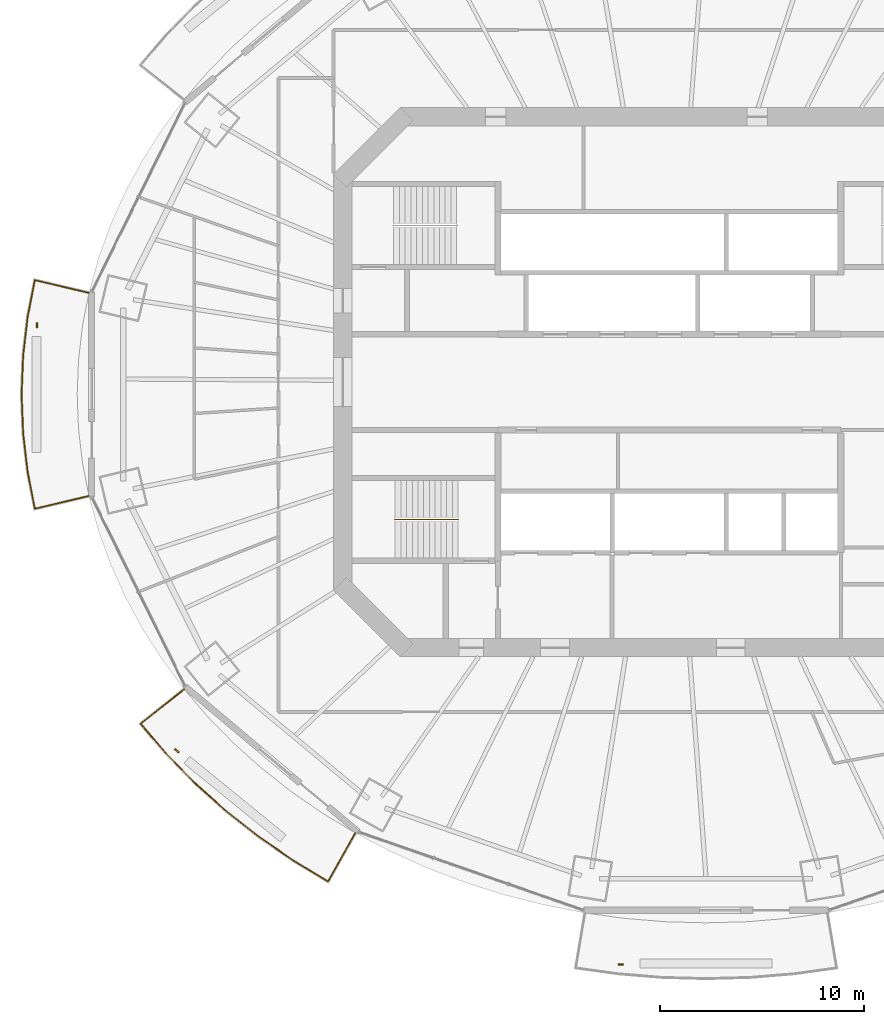
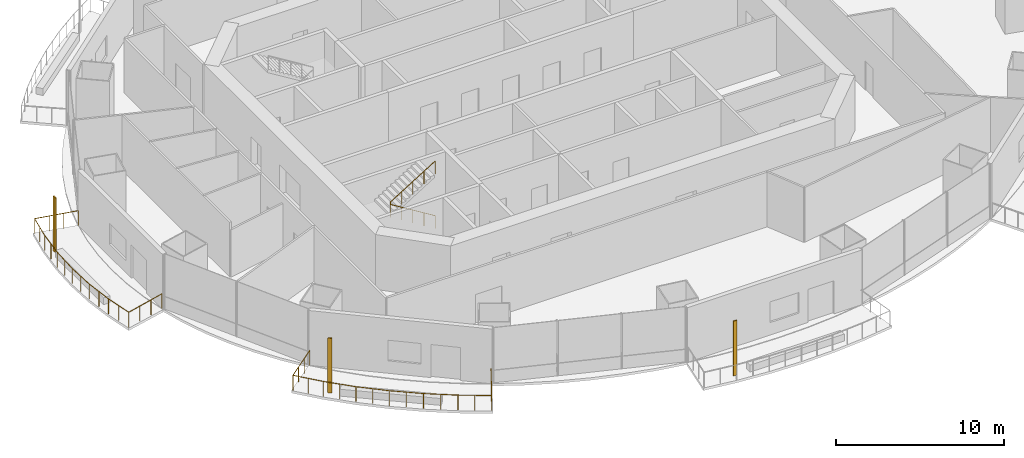
# One storey, part 14 of 19: 3 railings, 3 shading devices.
"""IFC4 building model written with IfcOpenShell, lengths in metres."""

from ifc_helpers import new_model, si_unit, direction, frame, origin, origin_2d, place, context, subcontext, project, spatial, rectangle, circle, extrude, material, material_profile, profile_set, type_object, element, save


model = new_model("IFC4")

# Units and contexts
model_context = context("Model", 3, precision=1e-05, world=origin(), true_north=direction((0.0, 1.0)))
body_context = subcontext(model_context, "Body", "Model", "MODEL_VIEW")
ifc_project = project(units=[si_unit("LENGTHUNIT", "METRE"), si_unit("AREAUNIT", "SQUARE_METRE"), si_unit("VOLUMEUNIT", "CUBIC_METRE"), si_unit("PLANEANGLEUNIT", "RADIAN"), si_unit("MASSUNIT", "GRAM", prefix="KILO")], contexts=[model_context])

# Site, building, storey
site_placement = place(None, origin())
site = spatial("IfcSite", under=ifc_project, at=site_placement, CompositionType="ELEMENT")
building_placement = place(site_placement, origin())
building = spatial("IfcBuilding", under=site, at=building_placement, Name="Marenthal Gate Tower", CompositionType="ELEMENT")
storey_placement = place(building_placement, frame((0.0, 0.0, 231.60009765625)))
storey = spatial("IfcBuildingStorey", under=building, at=storey_placement, Name="L51", CompositionType="ELEMENT", Elevation=231.60009765625)

# Railings
ifc_material_1 = material(Name="Stainless steel", Category="steel")
railing_type_1 = type_object("IfcRailingType", Name="Balcony guard 1100", PredefinedType="GUARDRAIL", material=ifc_material_1)
railing_1_placement = place(storey_placement, frame((-28.434326171875, -5.572021484375, 0.0)))
element("IfcRailing", 1, at=railing_1_placement, inside=storey, type_object=railing_type_1, Name="Balcony guard L51 bay 8", PredefinedType="GUARDRAIL", context=body_context, shape_type="SweptSolid", body=[
    extrude(circle(Radius=0.02392578125, at=origin_2d()), frame((0.0, 0.0, 1.076171875), z_axis=(-0.973052153091, -0.230114897669, -0.014718737604), x_axis=(0.230139827907, -0.97315757183, 0.0)), (0.0, 0.0, 1.0), 2.72021484375),
    extrude(circle(Radius=0.02392578125, at=origin_2d()), frame((-2.64697265625, -0.6259765625, 1.0361328125), z_axis=(-0.191194170829, 0.981552234494, 0.0), x_axis=(-0.981552234494, -0.191194170829, 0.0)), (0.0, 0.0, 1.0), 1.832275390625),
    extrude(circle(Radius=0.02392578125, at=origin_2d()), frame((-2.997314453125, 1.172607421875, 1.0361328125), z_axis=(-0.116440337064, 0.99319768823, 0.0), x_axis=(-0.99319768823, -0.116440337064, 0.0)), (0.0, 0.0, 1.0), 1.907958984375),
    extrude(circle(Radius=0.02392578125, at=origin_2d()), frame((-3.219482421875, 3.067626953125, 1.0361328125), z_axis=(-0.038944791616, 0.999241363839, 0.0), x_axis=(-0.999241363839, -0.038944791616, 0.0)), (0.0, 0.0, 1.0), 1.90576171875),
    extrude(circle(Radius=0.02392578125, at=origin_2d()), frame((-3.293701171875, 4.971923828125, 1.0361328125), z_axis=(0.038939806905, 0.999241558102, 0.0), x_axis=(-0.999241558102, 0.038939806905, 0.0)), (0.0, 0.0, 1.0), 1.906005859375),
    extrude(circle(Radius=0.02392578125, at=origin_2d()), frame((-3.219482421875, 6.87646484375, 1.0361328125), z_axis=(0.116440337064, 0.99319768823, 0.0), x_axis=(-0.99319768823, 0.116440337064, 0.0)), (0.0, 0.0, 1.0), 1.907958984375),
    extrude(circle(Radius=0.02392578125, at=origin_2d()), frame((-2.997314453125, 8.771484375, 1.0361328125), z_axis=(0.191194170829, 0.981552234494, 0.0), x_axis=(-0.981552234494, 0.191194170829, 0.0)), (0.0, 0.0, 1.0), 1.832275390625),
    extrude(circle(Radius=0.02392578125, at=origin_2d()), frame((-2.64697265625, 10.570068359375, 1.0361328125), z_axis=(0.973052153091, -0.230114897669, 0.014718737604), x_axis=(0.230139827907, 0.97315757183, 0.0)), (0.0, 0.0, 1.0), 2.72021484375),
    extrude(circle(Radius=0.02099609375, at=origin_2d()), origin(), (0.0, 0.0, 1.0), 1.052001953125),
    extrude(circle(Radius=0.02099609375, at=origin_2d()), frame((-0.88232421875, -0.208740234375, -0.013427734375)), (0.0, 0.0, 1.0), 1.052001953125),
    extrude(circle(Radius=0.02099609375, at=origin_2d()), frame((-1.7646484375, -0.417236328125, -0.026611328125)), (0.0, 0.0, 1.0), 1.052001953125),
    extrude(circle(Radius=0.02099609375, at=origin_2d()), frame((-2.64697265625, -0.6259765625, -0.0400390625)), (0.0, 0.0, 1.0), 1.052001953125),
    extrude(circle(Radius=0.02099609375, at=origin_2d()), frame((-2.822265625, 0.2734375, -0.0400390625)), (0.0, 0.0, 1.0), 1.052001953125),
    extrude(circle(Radius=0.02099609375, at=origin_2d()), frame((-2.997314453125, 1.172607421875, -0.0400390625)), (0.0, 0.0, 1.0), 1.052001953125),
    extrude(circle(Radius=0.02099609375, at=origin_2d()), frame((-3.1083984375, 2.1201171875, -0.0400390625)), (0.0, 0.0, 1.0), 1.052001953125),
    extrude(circle(Radius=0.02099609375, at=origin_2d()), frame((-3.219482421875, 3.067626953125, -0.0400390625)), (0.0, 0.0, 1.0), 1.052001953125),
    extrude(circle(Radius=0.02099609375, at=origin_2d()), frame((-3.256591796875, 4.019775390625, -0.0400390625)), (0.0, 0.0, 1.0), 1.052001953125),
    extrude(circle(Radius=0.02099609375, at=origin_2d()), frame((-3.293701171875, 4.971923828125, -0.0400390625)), (0.0, 0.0, 1.0), 1.052001953125),
    extrude(circle(Radius=0.02099609375, at=origin_2d()), frame((-3.256591796875, 5.92431640625, -0.0400390625)), (0.0, 0.0, 1.0), 1.052001953125),
    extrude(circle(Radius=0.02099609375, at=origin_2d()), frame((-3.219482421875, 6.87646484375, -0.0400390625)), (0.0, 0.0, 1.0), 1.052001953125),
    extrude(circle(Radius=0.02099609375, at=origin_2d()), frame((-3.1083984375, 7.823974609375, -0.0400390625)), (0.0, 0.0, 1.0), 1.052001953125),
    extrude(circle(Radius=0.02099609375, at=origin_2d()), frame((-2.997314453125, 8.771484375, -0.0400390625)), (0.0, 0.0, 1.0), 1.052001953125),
    extrude(circle(Radius=0.02099609375, at=origin_2d()), frame((-2.822265625, 9.6708984375, -0.0400390625)), (0.0, 0.0, 1.0), 1.052001953125),
    extrude(circle(Radius=0.02099609375, at=origin_2d()), frame((-2.64697265625, 10.570068359375, -0.0400390625)), (0.0, 0.0, 1.0), 1.052001953125),
    extrude(circle(Radius=0.02099609375, at=origin_2d()), frame((-1.7646484375, 10.361328125, -0.026611328125)), (0.0, 0.0, 1.0), 1.052001953125),
    extrude(circle(Radius=0.02099609375, at=origin_2d()), frame((-0.88232421875, 10.15283203125, -0.013427734375)), (0.0, 0.0, 1.0), 1.052001953125),
    extrude(circle(Radius=0.02099609375, at=origin_2d()), frame((0.0, 9.944091796875, 0.0)), (0.0, 0.0, 1.0), 1.052001953125),
])
railing_2_placement = place(storey_placement, frame((-15.3857421875, -22.08349609375, 0.0)))
element("IfcRailing", 2, at=railing_2_placement, inside=storey, type_object=railing_type_1, Name="Balcony guard L51 bay 10", PredefinedType="GUARDRAIL", context=body_context, shape_type="SweptSolid", body=[
    extrude(circle(Radius=0.02392578125, at=origin_2d()), frame((0.0, 0.0, 1.076171875), z_axis=(-0.489828869087, -0.871694357905, -0.014718199804), x_axis=(0.871788788819, -0.489881932397, 0.0)), (0.0, 0.0, 1.0), 2.720458984375),
    extrude(circle(Radius=0.02392578125, at=origin_2d()), frame((-1.33251953125, -2.371337890625, 1.0361328125), z_axis=(-0.856002243452, 0.516972106796, 0.0), x_axis=(-0.516972106796, -0.856002243452, 0.0)), (0.0, 0.0, 1.0), 1.9990234375),
    extrude(circle(Radius=0.02392578125, at=origin_2d()), frame((-3.043701171875, -1.337890625, 1.0361328125), z_axis=(-0.823243306464, 0.567688698462, 0.0), x_axis=(-0.567688698462, -0.823243306464, 0.0)), (0.0, 0.0, 1.0), 2.0625),
    extrude(circle(Radius=0.02392578125, at=origin_2d()), frame((-4.74169921875, -0.1669921875, 1.0361328125), z_axis=(-0.785792171054, 0.618490633648, 0.0), x_axis=(-0.618490633648, -0.785792171054, 0.0)), (0.0, 0.0, 1.0), 2.0458984375),
    extrude(circle(Radius=0.02392578125, at=origin_2d()), frame((-6.349365234375, 1.098388671875, 1.0361328125), z_axis=(-0.744394107791, 0.667740527665, 0.0), x_axis=(-0.667740527665, -0.744394107791, 0.0)), (0.0, 0.0, 1.0), 2.02880859375),
    extrude(circle(Radius=0.02392578125, at=origin_2d()), frame((-7.859619140625, 2.453125, 1.0361328125), z_axis=(-0.698683190488, 0.71543119818, 0.0), x_axis=(-0.71543119818, -0.698683190488, 0.0)), (0.0, 0.0, 1.0), 2.01171875),
    extrude(circle(Radius=0.02392578125, at=origin_2d()), frame((-9.26513671875, 3.892333984375, 1.0361328125), z_axis=(-0.649961690438, 0.7599669736, 0.0), x_axis=(-0.7599669736, -0.649961690438, 0.0)), (0.0, 0.0, 1.0), 1.915283203125),
    extrude(circle(Radius=0.02392578125, at=origin_2d()), frame((-10.510009765625, 5.347900390625, 1.0361328125), z_axis=(0.782855020802, 0.62203005264, 0.014718356461), x_axis=(-0.622097438779, 0.78293982953, 0.0)), (0.0, 0.0, 1.0), 2.720458984375),
    extrude(circle(Radius=0.02099609375, at=origin_2d()), origin(), (0.0, 0.0, 1.0), 1.052001953125),
    extrude(circle(Radius=0.02099609375, at=origin_2d()), frame((-0.444091796875, -0.79052734375, -0.013427734375)), (0.0, 0.0, 1.0), 1.052001953125),
    extrude(circle(Radius=0.02099609375, at=origin_2d()), frame((-0.888427734375, -1.580810546875, -0.026611328125)), (0.0, 0.0, 1.0), 1.052001953125),
    extrude(circle(Radius=0.02099609375, at=origin_2d()), frame((-1.33251953125, -2.371337890625, -0.0400390625)), (0.0, 0.0, 1.0), 1.052001953125),
    extrude(circle(Radius=0.02099609375, at=origin_2d()), frame((-2.18798828125, -1.8544921875, -0.0400390625)), (0.0, 0.0, 1.0), 1.052001953125),
    extrude(circle(Radius=0.02099609375, at=origin_2d()), frame((-3.043701171875, -1.337890625, -0.0400390625)), (0.0, 0.0, 1.0), 1.052001953125),
    extrude(circle(Radius=0.02099609375, at=origin_2d()), frame((-3.892578125, -0.75244140625, -0.0400390625)), (0.0, 0.0, 1.0), 1.052001953125),
    extrude(circle(Radius=0.02099609375, at=origin_2d()), frame((-4.74169921875, -0.1669921875, -0.0400390625)), (0.0, 0.0, 1.0), 1.052001953125),
    extrude(circle(Radius=0.02099609375, at=origin_2d()), frame((-5.54541015625, 0.4658203125, -0.0400390625)), (0.0, 0.0, 1.0), 1.052001953125),
    extrude(circle(Radius=0.02099609375, at=origin_2d()), frame((-6.349365234375, 1.098388671875, -0.0400390625)), (0.0, 0.0, 1.0), 1.052001953125),
    extrude(circle(Radius=0.02099609375, at=origin_2d()), frame((-7.1044921875, 1.77587890625, -0.0400390625)), (0.0, 0.0, 1.0), 1.052001953125),
    extrude(circle(Radius=0.02099609375, at=origin_2d()), frame((-7.859619140625, 2.453125, -0.0400390625)), (0.0, 0.0, 1.0), 1.052001953125),
    extrude(circle(Radius=0.02099609375, at=origin_2d()), frame((-8.5625, 3.1728515625, -0.0400390625)), (0.0, 0.0, 1.0), 1.052001953125),
    extrude(circle(Radius=0.02099609375, at=origin_2d()), frame((-9.26513671875, 3.892333984375, -0.0400390625)), (0.0, 0.0, 1.0), 1.052001953125),
    extrude(circle(Radius=0.02099609375, at=origin_2d()), frame((-9.8876953125, 4.6201171875, -0.0400390625)), (0.0, 0.0, 1.0), 1.052001953125),
    extrude(circle(Radius=0.02099609375, at=origin_2d()), frame((-10.510009765625, 5.347900390625, -0.0400390625)), (0.0, 0.0, 1.0), 1.052001953125),
    extrude(circle(Radius=0.02099609375, at=origin_2d()), frame((-9.800048828125, 5.911865234375, -0.026611328125)), (0.0, 0.0, 1.0), 1.052001953125),
    extrude(circle(Radius=0.02099609375, at=origin_2d()), frame((-9.09033203125, 6.47607421875, -0.013427734375)), (0.0, 0.0, 1.0), 1.052001953125),
    extrude(circle(Radius=0.02099609375, at=origin_2d()), frame((-8.38037109375, 7.0400390625, 0.0)), (0.0, 0.0, 1.0), 1.052001953125),
])
ifc_material_2 = material(Name="Stainless steel", Category="steel")
railing_type_2 = type_object("IfcRailingType", Name="Stair handrail", PredefinedType="HANDRAIL", material=ifc_material_2)
railing_3_placement = place(storey_placement, frame((-10.35009765625, -6.72509765625, 0.1728515625)))
element("IfcRailing", 3, at=railing_3_placement, inside=storey, type_object=railing_type_2, Name="Handrail ST2", PredefinedType="HANDRAIL", context=body_context, shape_type="SweptSolid", body=[
    extrude(circle(Radius=0.0224609375, at=origin_2d()), frame((0.0, 0.0, 0.927490234375), z_axis=(-0.850816621229, 0.0, 0.525462726595), x_axis=(0.0, -1.0, 0.0)), (0.0, 0.0, 1.0), 3.619873046875),
    extrude(circle(Radius=0.0224609375, at=origin_2d()), frame((-3.079833984375, 0.0, 2.82958984375), z_axis=(0.0, 0.0, 1.0), x_axis=(1.0, 0.0, 0.0)), (0.0, 0.0, 1.0), 0.1728515625),
    extrude(circle(Radius=0.0224609375, at=origin_2d()), frame((-3.079833984375, 0.0, 3.00244140625), z_axis=(0.850816621229, 0.0, 0.525462726595), x_axis=(0.0, 1.0, 0.0)), (0.0, 0.0, 1.0), 3.619873046875),
    extrude(circle(Radius=0.02001953125, at=origin_2d()), origin(), (0.0, 0.0, 1.0), 0.905029296875),
    extrude(circle(Radius=0.02001953125, at=origin_2d()), frame((-0.77001953125, 0.0, 0.4755859375)), (0.0, 0.0, 1.0), 0.905029296875),
    extrude(circle(Radius=0.02001953125, at=origin_2d()), frame((-1.5400390625, 0.0, 0.951171875)), (0.0, 0.0, 1.0), 0.905029296875),
    extrude(circle(Radius=0.02001953125, at=origin_2d()), frame((-2.309814453125, 0.0, 1.426513671875)), (0.0, 0.0, 1.0), 0.905029296875),
    extrude(circle(Radius=0.02001953125, at=origin_2d()), frame((-3.079833984375, 0.0, 1.902099609375)), (0.0, 0.0, 1.0), 0.905029296875),
    extrude(circle(Radius=0.02001953125, at=origin_2d()), frame((-3.079833984375, 0.0, 2.074951171875)), (0.0, 0.0, 1.0), 0.905029296875),
    extrude(circle(Radius=0.02001953125, at=origin_2d()), frame((-2.309814453125, 0.0, 2.550537109375)), (0.0, 0.0, 1.0), 0.905029296875),
    extrude(circle(Radius=0.02001953125, at=origin_2d()), frame((-1.5400390625, 0.0, 3.02587890625)), (0.0, 0.0, 1.0), 0.905029296875),
    extrude(circle(Radius=0.02001953125, at=origin_2d()), frame((-0.77001953125, 0.0, 3.50146484375)), (0.0, 0.0, 1.0), 0.905029296875),
    extrude(circle(Radius=0.02001953125, at=origin_2d()), frame((0.0, 0.0, 3.97705078125)), (0.0, 0.0, 1.0), 0.905029296875),
])

# Shading devices
ifc_material_3 = material(Name="Terracotta", Category="masonry")
ifc_material_profile = material_profile(ifc_material_3, rectangle(XDim=0.25, YDim=0.080078125, at=origin_2d()), Name="Terracotta baguette 250x80")
ifc_profile_set = profile_set([ifc_material_profile], Name="Terracotta")
shading_device_type = type_object("IfcShadingDeviceType", Name="Terracotta BAGUETTE SCREEN 250x80", PredefinedType="USERDEFINED", material=ifc_profile_set)
for number, where, z_axis, x_axis, name in (
    (4, (-30.97509765625, 2.794921875, -0.0400390625), (0.0, 0.0, 1.0), (0.0, -1.0, 0.0), "Terracotta BAGUETTE L51 bay 8L"),
    (5, (-24.123291015625, -18.05126953125, -0.0400390625), (0.0, 0.0, 1.0), (0.765550876952, -0.643375360732, 0.0), "Terracotta BAGUETTE L51 bay 10L"),
    (6, (-2.371826171875, -28.529052734375, -0.0400390625), (0.0, 0.0, 1.0), (1.0, 0.0, 0.0), "Terracotta BAGUETTE L51 bay 12L"),
):
    element("IfcShadingDevice", number, at=place(storey_placement, frame(where, z_axis=z_axis, x_axis=x_axis)), inside=storey, type_object=shading_device_type, Name=name, ObjectType="BAGUETTE SCREEN", PredefinedType="USERDEFINED", context=body_context, shape_type="SweptSolid", body=[
        extrude(rectangle(XDim=0.25, YDim=0.080078125, at=origin_2d()), origin(), (0.0, 0.0, 1.0), 3.969970703125),
    ])

save(model, "model.ifc")
